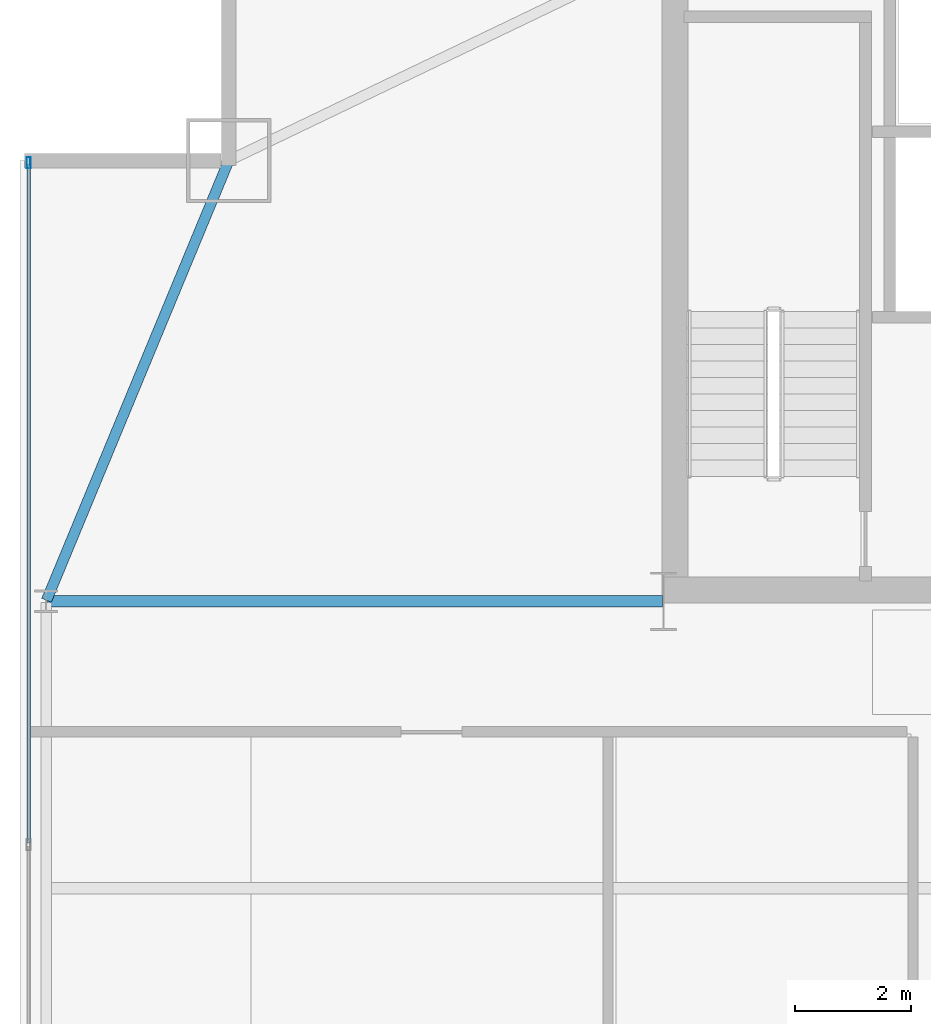
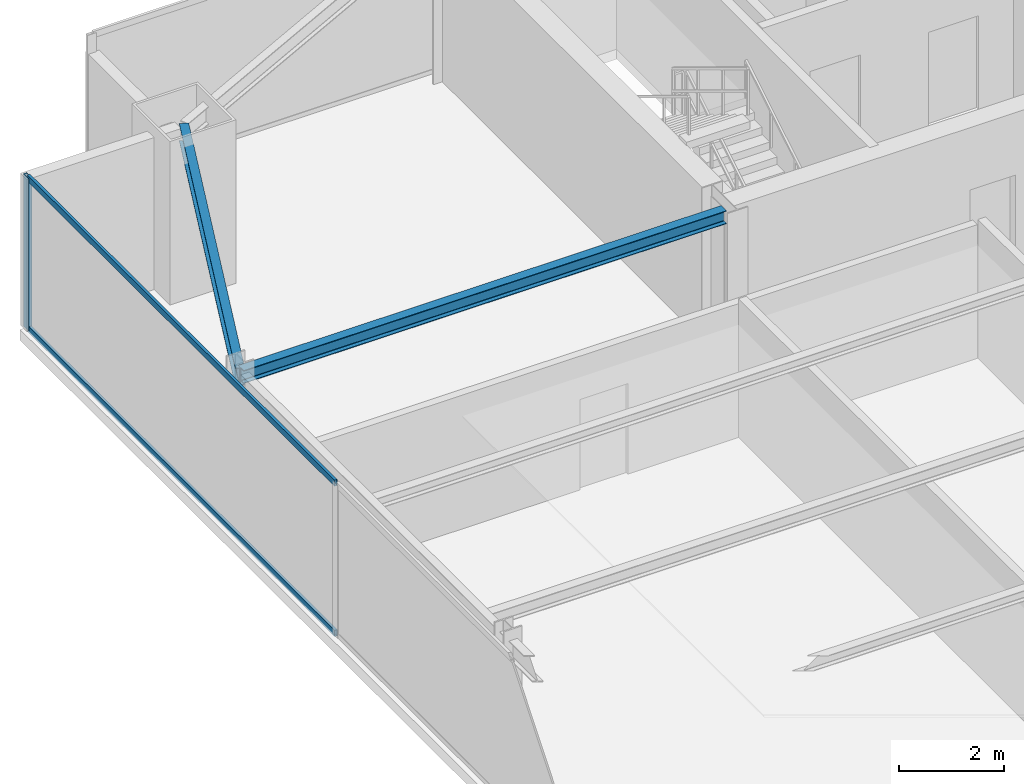
# One storey, part 21 of 32: 3 members, 2 beams, 1 element without a shape of its own.
"""IFC4 building model written with IfcOpenShell, lengths in metres."""

from ifc_helpers import new_model, si_unit, direction, frame, origin, origin_2d, place, context, subcontext, project, spatial, hollow_rectangle, i_section, extrude, source, transform, mapped, material, layer, layer_set, material_profile, profile_set, type_object, type_shapes, element, aggregate, save


model = new_model("IFC4")

# Units and contexts
model_context = context("Model", 3, precision=1e-05, world=origin(), true_north=direction((0.0, 1.0)))
body_context = subcontext(model_context, "Body", "Model", "MODEL_VIEW")
ifc_project = project(units=[si_unit("LENGTHUNIT", "METRE"), si_unit("AREAUNIT", "SQUARE_METRE"), si_unit("VOLUMEUNIT", "CUBIC_METRE"), si_unit("PLANEANGLEUNIT", "RADIAN"), si_unit("MASSUNIT", "GRAM", prefix="KILO")], contexts=[model_context])

# Site, building, storey
site_placement = place(None, origin())
site = spatial("IfcSite", under=ifc_project, at=site_placement, CompositionType="ELEMENT")
building_placement = place(site_placement, origin())
building = spatial("IfcBuilding", under=site, at=building_placement, Name="Varnel Quay Broadcast Tower", CompositionType="ELEMENT")
storey_placement = place(building_placement, frame((0.0, 0.0, 133.39990234375)))
storey = spatial("IfcBuildingStorey", under=building, at=storey_placement, Name="L32", CompositionType="ELEMENT", Elevation=133.39990234375)

# Beams
ifc_material_1 = material(Name="Structural Steel CSA G40.21 350W", Category="steel")
ifc_material_profile_1 = material_profile(ifc_material_1, i_section(OverallWidth=0.180908203125, OverallDepth=0.4169921875, WebThickness=0.010986328125, FlangeThickness=0.018310546875, FilletRadius=0.011962890625, at=origin_2d()), Name="W410X85")
ifc_profile_set_1 = profile_set([ifc_material_profile_1], Name="Structural Steel CSA G40.21 350W")
beam_type_1 = type_object("IfcBeamType", Name="Beam_W410X85", PredefinedType="SPANDREL", material=ifc_profile_set_1)
shared_shape_1 = source(origin(), body_context, "Body", "SweptSolid", [
    extrude(i_section(OverallWidth=0.180908203125, OverallDepth=0.4169921875, WebThickness=0.010986328125, FlangeThickness=0.018310546875, FilletRadius=0.011962890625, at=origin_2d()), origin(), (0.0, 0.0, 1.0), 8.186767578125),
])
type_shapes(beam_type_1, [shared_shape_1])
beam_1_placement = place(storey_placement, frame((4.957763671875, 35.618408203125, 3.341552734375), z_axis=(0.382874132092, 0.923800519038, 0.0), x_axis=(-0.923800519038, 0.382874132092, 0.0)))
element("IfcBeam", 1, at=beam_1_placement, inside=storey, type_object=beam_type_1, Name="L32 West Spandrel TC-W3-MC-NW", PredefinedType="SPANDREL", context=body_context, shape_type="MappedRepresentation", body=[
    mapped(shared_shape_1, transform((0.0, 0.0, 0.0), x_axis=(1.0, 0.0, 0.0), y_axis=(0.0, 1.0, 0.0), z_axis=(0.0, 0.0, 1.0), scale=1.0)),
])
ifc_material_profile_2 = material_profile(ifc_material_1, i_section(OverallWidth=0.202880859375, OverallDepth=0.302978515625, WebThickness=0.007568359375, FlangeThickness=0.01318359375, FilletRadius=0.011962890625, at=origin_2d()), Name="W310X60")
ifc_profile_set_2 = profile_set([ifc_material_profile_2], Name="Structural Steel CSA G40.21 350W")
beam_type_2 = type_object("IfcBeamType", Name="Beam_W310X60", PredefinedType="JOIST", material=ifc_profile_set_2)
shared_shape_2 = source(origin(), body_context, "Body", "SweptSolid", [
    extrude(i_section(OverallWidth=0.202880859375, OverallDepth=0.302978515625, WebThickness=0.007568359375, FlangeThickness=0.01318359375, FilletRadius=0.011962890625, at=origin_2d()), origin(), (0.0, 0.0, 1.0), 10.610107421875),
])
type_shapes(beam_type_2, [shared_shape_2])
beam_2_placement = place(storey_placement, frame((4.969970703125, 35.60009765625, 3.398681640625), z_axis=(1.0, 0.0, 0.0), x_axis=(0.0, 1.0, 0.0)))
element("IfcBeam", 2, at=beam_2_placement, inside=storey, type_object=beam_type_2, Name="L32 West Core Tie Joist", PredefinedType="JOIST", context=body_context, shape_type="MappedRepresentation", body=[
    mapped(shared_shape_2, transform((0.0, 0.0, 0.0), x_axis=(1.0, 0.0, 0.0), y_axis=(0.0, 1.0, 0.0), z_axis=(0.0, 0.0, 1.0), scale=1.0)),
])

# Curtain wall, members
ifc_material_2 = material(Name="Anodised Bronze Aluminium 6063-T6", Category="aluminium")
ifc_layer = layer(ifc_material_2, 0.18994140625, Name="Anodised Bronze Aluminium 6063-T6")
ifc_layer_set = layer_set([ifc_layer], Name="Anodised Bronze Aluminium 6063-T6")
curtain_wall_type = type_object("IfcCurtainWallType", Name="CW_LowerTower", PredefinedType="NOTDEFINED", material=ifc_layer_set)
curtain_wall_placement = place(storey_placement, origin())
curtain_wall = element("IfcCurtainWall", 3, at=curtain_wall_placement, inside=storey, type_object=curtain_wall_type, Name="L32 West Unitised Curtain Wall", PredefinedType="NOTDEFINED")
ifc_material_profile_3 = material_profile(ifc_material_2, hollow_rectangle(XDim=0.070068359375, YDim=0.18994140625, WallThickness=0.00390625, at=origin_2d()), Name="ALU70X190X4")
ifc_profile_set_3 = profile_set([ifc_material_profile_3], Name="Anodised Bronze Aluminium 6063-T6")
member_type_1 = type_object("IfcMemberType", Name="Mull_CWS-02", PredefinedType="MULLION", material=ifc_profile_set_3)
shared_shape_3 = source(origin(), body_context, "Body", "SweptSolid", [
    extrude(hollow_rectangle(XDim=0.070068359375, YDim=0.18994140625, WallThickness=0.00390625, at=origin_2d()), origin(), (0.0, 0.0, 1.0), 3.550048828125),
])
type_shapes(member_type_1, [shared_shape_3])
member_1_placement = place(storey_placement, frame((4.64990234375, 43.1650390625, 0.0), z_axis=(0.0, 0.0, 1.0), x_axis=(-1.0, 0.0, 0.0)))
member_1 = element("IfcMember", 4, at=member_1_placement, type_object=member_type_1, Name="CWS-02 mullion 4", PredefinedType="MULLION", context=body_context, shape_type="MappedRepresentation", body=[
    mapped(shared_shape_3, transform((0.0, 0.0, 0.0), x_axis=(1.0, 0.0, 0.0), y_axis=(0.0, 1.0, 0.0), z_axis=(0.0, 0.0, 1.0), scale=1.0)),
])
ifc_material_profile_4 = material_profile(ifc_material_2, hollow_rectangle(XDim=0.06005859375, YDim=0.14501953125, WallThickness=0.00341796875, at=origin_2d()), Name="ALU60X145X3.5")
ifc_profile_set_4 = profile_set([ifc_material_profile_4], Name="Anodised Bronze Aluminium 6063-T6")
member_type_2 = type_object("IfcMemberType", Name="Tran_CWS-02", PredefinedType="USERDEFINED", material=ifc_profile_set_4)
shared_shape_4 = source(origin(), body_context, "Body", "SweptSolid", [
    extrude(hollow_rectangle(XDim=0.06005859375, YDim=0.14501953125, WallThickness=0.00341796875, at=origin_2d()), origin(), (0.0, 0.0, 1.0), 11.69482421875),
])
type_shapes(member_type_2, [shared_shape_4])
member_2_placement = place(storey_placement, frame((4.64990234375, 31.43505859375, 0.030029296875), z_axis=(0.0, 1.0, 0.0), x_axis=(-1.0, 0.0, 0.0)))
member_2 = element("IfcMember", 5, at=member_2_placement, type_object=member_type_2, Name="CWS-02 transom 3.1", ObjectType="TRANSOM", PredefinedType="USERDEFINED", context=body_context, shape_type="MappedRepresentation", body=[
    mapped(shared_shape_4, transform((0.0, 0.0, 0.0), x_axis=(1.0, 0.0, 0.0), y_axis=(0.0, 1.0, 0.0), z_axis=(0.0, 0.0, 1.0), scale=1.0)),
])
member_3_placement = place(storey_placement, frame((4.64990234375, 31.43505859375, 3.52001953125), z_axis=(0.0, 1.0, 0.0), x_axis=(-1.0, 0.0, 0.0)))
member_3 = element("IfcMember", 6, at=member_3_placement, type_object=member_type_2, Name="CWS-02 transom 3.2", ObjectType="TRANSOM", PredefinedType="USERDEFINED", context=body_context, shape_type="MappedRepresentation", body=[
    mapped(shared_shape_4, transform((0.0, 0.0, 0.0), x_axis=(1.0, 0.0, 0.0), y_axis=(0.0, 1.0, 0.0), z_axis=(0.0, 0.0, 1.0), scale=1.0)),
])
aggregate(curtain_wall, [member_1, member_2, member_3])

save(model, "model.ifc")
